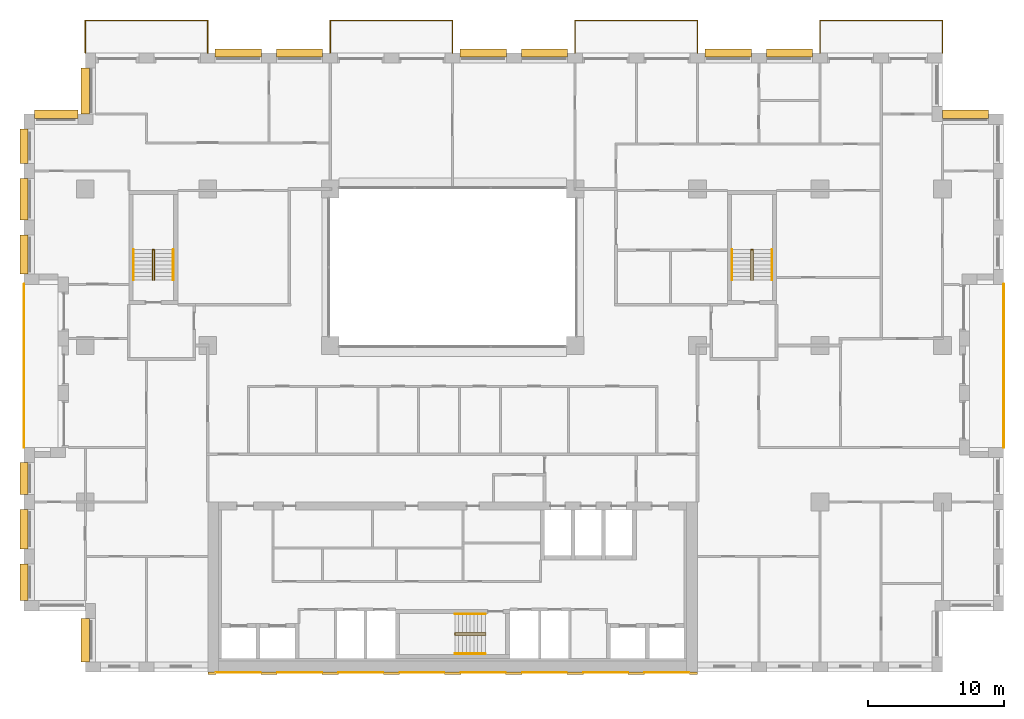
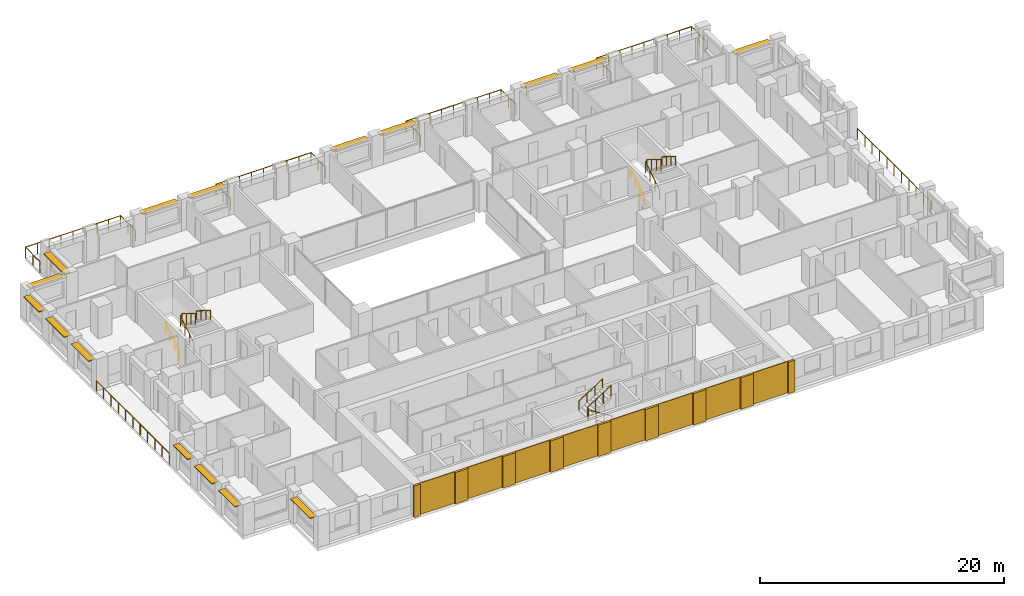
# One storey, part 16 of 16: 17 coverings, 16 shading devices, 15 railings.
"""IFC4 building model written with IfcOpenShell, lengths in metres."""

from ifc_helpers import new_model, si_unit, direction, frame, origin, origin_2d, place, context, subcontext, project, spatial, rectangle, circle, extrude, material, layer, layer_set, type_object, element, save


model = new_model("IFC4")

# Units and contexts
model_context = context("Model", 3, precision=1e-05, world=origin(), true_north=direction((0.0, 1.0)))
body_context = subcontext(model_context, "Body", "Model", "MODEL_VIEW")
ifc_project = project(units=[si_unit("LENGTHUNIT", "METRE"), si_unit("AREAUNIT", "SQUARE_METRE"), si_unit("VOLUMEUNIT", "CUBIC_METRE"), si_unit("PLANEANGLEUNIT", "RADIAN"), si_unit("MASSUNIT", "GRAM", prefix="KILO")], contexts=[model_context])

# Site, building, storey
site_placement = place(None, origin())
site = spatial("IfcSite", under=ifc_project, at=site_placement, CompositionType="ELEMENT")
building_placement = place(site_placement, origin())
building = spatial("IfcBuilding", under=site, at=building_placement, Name="Brigalow Station Residences", CompositionType="ELEMENT")
storey_placement = place(building_placement, frame((0.0, 0.0, 102.449951171875)))
storey = spatial("IfcBuildingStorey", under=building, at=storey_placement, Name="L29", CompositionType="ELEMENT", Elevation=102.449951171875)

# Railings
ifc_material_1 = material(Name="Stainless steel balustrade with laminated glass infill", Category="steel")
railing_type_1 = type_object("IfcRailingType", Name="BALCONY GUARD 1100", PredefinedType="GUARDRAIL", material=ifc_material_1)
railing_1_placement = place(storey_placement, frame((76.5, 16.5, -0.0400390625)))
element("IfcRailing", 1, at=railing_1_placement, inside=storey, type_object=railing_type_1, Name="L29/balcony-guard/1", PredefinedType="GUARDRAIL", context=body_context, shape_type="SweptSolid", body=[
    extrude(circle(Radius=0.02392578125, at=origin_2d()), frame((0.0, 0.0, 1.076171875), z_axis=(0.0, 1.0, 0.0), x_axis=(-1.0, 0.0, 0.0)), (0.0, 0.0, 1.0), 12.0),
    extrude(circle(Radius=0.02099609375, at=origin_2d()), origin(), (0.0, 0.0, 1.0), 1.052001953125),
    extrude(circle(Radius=0.02099609375, at=origin_2d()), frame((0.0, 1.199951171875, 0.0)), (0.0, 0.0, 1.0), 1.052001953125),
    extrude(circle(Radius=0.02099609375, at=origin_2d()), frame((0.0, 2.39990234375, 0.0)), (0.0, 0.0, 1.0), 1.052001953125),
    extrude(circle(Radius=0.02099609375, at=origin_2d()), frame((0.0, 3.60009765625, 0.0)), (0.0, 0.0, 1.0), 1.052001953125),
    extrude(circle(Radius=0.02099609375, at=origin_2d()), frame((0.0, 4.800048828125, 0.0)), (0.0, 0.0, 1.0), 1.052001953125),
    extrude(circle(Radius=0.02099609375, at=origin_2d()), frame((0.0, 6.0, 0.0)), (0.0, 0.0, 1.0), 1.052001953125),
    extrude(circle(Radius=0.02099609375, at=origin_2d()), frame((0.0, 7.199951171875, 0.0)), (0.0, 0.0, 1.0), 1.052001953125),
    extrude(circle(Radius=0.02099609375, at=origin_2d()), frame((0.0, 8.39990234375, 0.0)), (0.0, 0.0, 1.0), 1.052001953125),
    extrude(circle(Radius=0.02099609375, at=origin_2d()), frame((0.0, 9.60009765625, 0.0)), (0.0, 0.0, 1.0), 1.052001953125),
    extrude(circle(Radius=0.02099609375, at=origin_2d()), frame((0.0, 10.800048828125, 0.0)), (0.0, 0.0, 1.0), 1.052001953125),
    extrude(circle(Radius=0.02099609375, at=origin_2d()), frame((0.0, 12.0, 0.0)), (0.0, 0.0, 1.0), 1.052001953125),
])
railing_2_placement = place(storey_placement, frame((72.0, 45.5, -0.0400390625)))
element("IfcRailing", 2, at=railing_2_placement, inside=storey, type_object=railing_type_1, Name="L29/balcony-guard/2", PredefinedType="GUARDRAIL", context=body_context, shape_type="SweptSolid", body=[
    extrude(circle(Radius=0.02392578125, at=origin_2d()), frame((0.0, 0.0, 1.076171875), z_axis=(0.0, 1.0, 0.0), x_axis=(-1.0, 0.0, 0.0)), (0.0, 0.0, 1.0), 2.39990234375),
    extrude(circle(Radius=0.02392578125, at=origin_2d()), frame((0.0, 2.39990234375, 1.076171875), z_axis=(-1.0, 0.0, 0.0), x_axis=(0.0, -1.0, 0.0)), (0.0, 0.0, 1.0), 9.0),
    extrude(circle(Radius=0.02392578125, at=origin_2d()), frame((-9.0, 2.39990234375, 1.076171875), z_axis=(0.0, -1.0, 0.0), x_axis=(1.0, 0.0, 0.0)), (0.0, 0.0, 1.0), 2.39990234375),
    extrude(circle(Radius=0.02099609375, at=origin_2d()), origin(), (0.0, 0.0, 1.0), 1.052001953125),
    extrude(circle(Radius=0.02099609375, at=origin_2d()), frame((0.0, 1.199951171875, 0.0)), (0.0, 0.0, 1.0), 1.052001953125),
    extrude(circle(Radius=0.02099609375, at=origin_2d()), frame((0.0, 2.39990234375, 0.0)), (0.0, 0.0, 1.0), 1.052001953125),
    extrude(circle(Radius=0.02099609375, at=origin_2d()), frame((-1.125, 2.39990234375, 0.0)), (0.0, 0.0, 1.0), 1.052001953125),
    extrude(circle(Radius=0.02099609375, at=origin_2d()), frame((-2.25, 2.39990234375, 0.0)), (0.0, 0.0, 1.0), 1.052001953125),
    extrude(circle(Radius=0.02099609375, at=origin_2d()), frame((-3.375, 2.39990234375, 0.0)), (0.0, 0.0, 1.0), 1.052001953125),
    extrude(circle(Radius=0.02099609375, at=origin_2d()), frame((-4.5, 2.39990234375, 0.0)), (0.0, 0.0, 1.0), 1.052001953125),
    extrude(circle(Radius=0.02099609375, at=origin_2d()), frame((-5.625, 2.39990234375, 0.0)), (0.0, 0.0, 1.0), 1.052001953125),
    extrude(circle(Radius=0.02099609375, at=origin_2d()), frame((-6.75, 2.39990234375, 0.0)), (0.0, 0.0, 1.0), 1.052001953125),
    extrude(circle(Radius=0.02099609375, at=origin_2d()), frame((-7.875, 2.39990234375, 0.0)), (0.0, 0.0, 1.0), 1.052001953125),
    extrude(circle(Radius=0.02099609375, at=origin_2d()), frame((-9.0, 2.39990234375, 0.0)), (0.0, 0.0, 1.0), 1.052001953125),
    extrude(circle(Radius=0.02099609375, at=origin_2d()), frame((-9.0, 1.199951171875, 0.0)), (0.0, 0.0, 1.0), 1.052001953125),
    extrude(circle(Radius=0.02099609375, at=origin_2d()), frame((-9.0, 0.0, 0.0)), (0.0, 0.0, 1.0), 1.052001953125),
])
railing_3_placement = place(storey_placement, frame((54.0, 45.5, -0.0400390625)))
element("IfcRailing", 3, at=railing_3_placement, inside=storey, type_object=railing_type_1, Name="L29/balcony-guard/3", PredefinedType="GUARDRAIL", context=body_context, shape_type="SweptSolid", body=[
    extrude(circle(Radius=0.02392578125, at=origin_2d()), frame((0.0, 0.0, 1.076171875), z_axis=(0.0, 1.0, 0.0), x_axis=(-1.0, 0.0, 0.0)), (0.0, 0.0, 1.0), 2.39990234375),
    extrude(circle(Radius=0.02392578125, at=origin_2d()), frame((0.0, 2.39990234375, 1.076171875), z_axis=(-1.0, 0.0, 0.0), x_axis=(0.0, -1.0, 0.0)), (0.0, 0.0, 1.0), 9.0),
    extrude(circle(Radius=0.02392578125, at=origin_2d()), frame((-9.0, 2.39990234375, 1.076171875), z_axis=(0.0, -1.0, 0.0), x_axis=(1.0, 0.0, 0.0)), (0.0, 0.0, 1.0), 2.39990234375),
    extrude(circle(Radius=0.02099609375, at=origin_2d()), origin(), (0.0, 0.0, 1.0), 1.052001953125),
    extrude(circle(Radius=0.02099609375, at=origin_2d()), frame((0.0, 1.199951171875, 0.0)), (0.0, 0.0, 1.0), 1.052001953125),
    extrude(circle(Radius=0.02099609375, at=origin_2d()), frame((0.0, 2.39990234375, 0.0)), (0.0, 0.0, 1.0), 1.052001953125),
    extrude(circle(Radius=0.02099609375, at=origin_2d()), frame((-1.125, 2.39990234375, 0.0)), (0.0, 0.0, 1.0), 1.052001953125),
    extrude(circle(Radius=0.02099609375, at=origin_2d()), frame((-2.25, 2.39990234375, 0.0)), (0.0, 0.0, 1.0), 1.052001953125),
    extrude(circle(Radius=0.02099609375, at=origin_2d()), frame((-3.375, 2.39990234375, 0.0)), (0.0, 0.0, 1.0), 1.052001953125),
    extrude(circle(Radius=0.02099609375, at=origin_2d()), frame((-4.5, 2.39990234375, 0.0)), (0.0, 0.0, 1.0), 1.052001953125),
    extrude(circle(Radius=0.02099609375, at=origin_2d()), frame((-5.625, 2.39990234375, 0.0)), (0.0, 0.0, 1.0), 1.052001953125),
    extrude(circle(Radius=0.02099609375, at=origin_2d()), frame((-6.75, 2.39990234375, 0.0)), (0.0, 0.0, 1.0), 1.052001953125),
    extrude(circle(Radius=0.02099609375, at=origin_2d()), frame((-7.875, 2.39990234375, 0.0)), (0.0, 0.0, 1.0), 1.052001953125),
    extrude(circle(Radius=0.02099609375, at=origin_2d()), frame((-9.0, 2.39990234375, 0.0)), (0.0, 0.0, 1.0), 1.052001953125),
    extrude(circle(Radius=0.02099609375, at=origin_2d()), frame((-9.0, 1.199951171875, 0.0)), (0.0, 0.0, 1.0), 1.052001953125),
    extrude(circle(Radius=0.02099609375, at=origin_2d()), frame((-9.0, 0.0, 0.0)), (0.0, 0.0, 1.0), 1.052001953125),
])
railing_4_placement = place(storey_placement, frame((36.0, 45.5, -0.0400390625)))
element("IfcRailing", 4, at=railing_4_placement, inside=storey, type_object=railing_type_1, Name="L29/balcony-guard/4", PredefinedType="GUARDRAIL", context=body_context, shape_type="SweptSolid", body=[
    extrude(circle(Radius=0.02392578125, at=origin_2d()), frame((0.0, 0.0, 1.076171875), z_axis=(0.0, 1.0, 0.0), x_axis=(-1.0, 0.0, 0.0)), (0.0, 0.0, 1.0), 2.39990234375),
    extrude(circle(Radius=0.02392578125, at=origin_2d()), frame((0.0, 2.39990234375, 1.076171875), z_axis=(-1.0, 0.0, 0.0), x_axis=(0.0, -1.0, 0.0)), (0.0, 0.0, 1.0), 9.0),
    extrude(circle(Radius=0.02392578125, at=origin_2d()), frame((-9.0, 2.39990234375, 1.076171875), z_axis=(0.0, -1.0, 0.0), x_axis=(1.0, 0.0, 0.0)), (0.0, 0.0, 1.0), 2.39990234375),
    extrude(circle(Radius=0.02099609375, at=origin_2d()), origin(), (0.0, 0.0, 1.0), 1.052001953125),
    extrude(circle(Radius=0.02099609375, at=origin_2d()), frame((0.0, 1.199951171875, 0.0)), (0.0, 0.0, 1.0), 1.052001953125),
    extrude(circle(Radius=0.02099609375, at=origin_2d()), frame((0.0, 2.39990234375, 0.0)), (0.0, 0.0, 1.0), 1.052001953125),
    extrude(circle(Radius=0.02099609375, at=origin_2d()), frame((-1.125, 2.39990234375, 0.0)), (0.0, 0.0, 1.0), 1.052001953125),
    extrude(circle(Radius=0.02099609375, at=origin_2d()), frame((-2.25, 2.39990234375, 0.0)), (0.0, 0.0, 1.0), 1.052001953125),
    extrude(circle(Radius=0.02099609375, at=origin_2d()), frame((-3.375, 2.39990234375, 0.0)), (0.0, 0.0, 1.0), 1.052001953125),
    extrude(circle(Radius=0.02099609375, at=origin_2d()), frame((-4.5, 2.39990234375, 0.0)), (0.0, 0.0, 1.0), 1.052001953125),
    extrude(circle(Radius=0.02099609375, at=origin_2d()), frame((-5.625, 2.39990234375, 0.0)), (0.0, 0.0, 1.0), 1.052001953125),
    extrude(circle(Radius=0.02099609375, at=origin_2d()), frame((-6.75, 2.39990234375, 0.0)), (0.0, 0.0, 1.0), 1.052001953125),
    extrude(circle(Radius=0.02099609375, at=origin_2d()), frame((-7.875, 2.39990234375, 0.0)), (0.0, 0.0, 1.0), 1.052001953125),
    extrude(circle(Radius=0.02099609375, at=origin_2d()), frame((-9.0, 2.39990234375, 0.0)), (0.0, 0.0, 1.0), 1.052001953125),
    extrude(circle(Radius=0.02099609375, at=origin_2d()), frame((-9.0, 1.199951171875, 0.0)), (0.0, 0.0, 1.0), 1.052001953125),
    extrude(circle(Radius=0.02099609375, at=origin_2d()), frame((-9.0, 0.0, 0.0)), (0.0, 0.0, 1.0), 1.052001953125),
])
railing_5_placement = place(storey_placement, frame((18.0, 45.5, -0.0400390625)))
element("IfcRailing", 5, at=railing_5_placement, inside=storey, type_object=railing_type_1, Name="L29/balcony-guard/5", PredefinedType="GUARDRAIL", context=body_context, shape_type="SweptSolid", body=[
    extrude(circle(Radius=0.02392578125, at=origin_2d()), frame((0.0, 0.0, 1.076171875), z_axis=(0.0, 1.0, 0.0), x_axis=(-1.0, 0.0, 0.0)), (0.0, 0.0, 1.0), 2.39990234375),
    extrude(circle(Radius=0.02392578125, at=origin_2d()), frame((0.0, 2.39990234375, 1.076171875), z_axis=(-1.0, 0.0, 0.0), x_axis=(0.0, -1.0, 0.0)), (0.0, 0.0, 1.0), 9.0),
    extrude(circle(Radius=0.02392578125, at=origin_2d()), frame((-9.0, 2.39990234375, 1.076171875), z_axis=(0.0, -1.0, 0.0), x_axis=(1.0, 0.0, 0.0)), (0.0, 0.0, 1.0), 2.39990234375),
    extrude(circle(Radius=0.02099609375, at=origin_2d()), origin(), (0.0, 0.0, 1.0), 1.052001953125),
    extrude(circle(Radius=0.02099609375, at=origin_2d()), frame((0.0, 1.199951171875, 0.0)), (0.0, 0.0, 1.0), 1.052001953125),
    extrude(circle(Radius=0.02099609375, at=origin_2d()), frame((0.0, 2.39990234375, 0.0)), (0.0, 0.0, 1.0), 1.052001953125),
    extrude(circle(Radius=0.02099609375, at=origin_2d()), frame((-1.125, 2.39990234375, 0.0)), (0.0, 0.0, 1.0), 1.052001953125),
    extrude(circle(Radius=0.02099609375, at=origin_2d()), frame((-2.25, 2.39990234375, 0.0)), (0.0, 0.0, 1.0), 1.052001953125),
    extrude(circle(Radius=0.02099609375, at=origin_2d()), frame((-3.375, 2.39990234375, 0.0)), (0.0, 0.0, 1.0), 1.052001953125),
    extrude(circle(Radius=0.02099609375, at=origin_2d()), frame((-4.5, 2.39990234375, 0.0)), (0.0, 0.0, 1.0), 1.052001953125),
    extrude(circle(Radius=0.02099609375, at=origin_2d()), frame((-5.625, 2.39990234375, 0.0)), (0.0, 0.0, 1.0), 1.052001953125),
    extrude(circle(Radius=0.02099609375, at=origin_2d()), frame((-6.75, 2.39990234375, 0.0)), (0.0, 0.0, 1.0), 1.052001953125),
    extrude(circle(Radius=0.02099609375, at=origin_2d()), frame((-7.875, 2.39990234375, 0.0)), (0.0, 0.0, 1.0), 1.052001953125),
    extrude(circle(Radius=0.02099609375, at=origin_2d()), frame((-9.0, 2.39990234375, 0.0)), (0.0, 0.0, 1.0), 1.052001953125),
    extrude(circle(Radius=0.02099609375, at=origin_2d()), frame((-9.0, 1.199951171875, 0.0)), (0.0, 0.0, 1.0), 1.052001953125),
    extrude(circle(Radius=0.02099609375, at=origin_2d()), frame((-9.0, 0.0, 0.0)), (0.0, 0.0, 1.0), 1.052001953125),
])
railing_6_placement = place(storey_placement, frame((4.5, 28.5, -0.0400390625)))
element("IfcRailing", 6, at=railing_6_placement, inside=storey, type_object=railing_type_1, Name="L29/balcony-guard/6", PredefinedType="GUARDRAIL", context=body_context, shape_type="SweptSolid", body=[
    extrude(circle(Radius=0.02392578125, at=origin_2d()), frame((0.0, 0.0, 1.076171875), z_axis=(0.0, -1.0, 0.0), x_axis=(1.0, 0.0, 0.0)), (0.0, 0.0, 1.0), 12.0),
    extrude(circle(Radius=0.02099609375, at=origin_2d()), origin(), (0.0, 0.0, 1.0), 1.052001953125),
    extrude(circle(Radius=0.02099609375, at=origin_2d()), frame((0.0, -1.199951171875, 0.0)), (0.0, 0.0, 1.0), 1.052001953125),
    extrude(circle(Radius=0.02099609375, at=origin_2d()), frame((0.0, -2.39990234375, 0.0)), (0.0, 0.0, 1.0), 1.052001953125),
    extrude(circle(Radius=0.02099609375, at=origin_2d()), frame((0.0, -3.60009765625, 0.0)), (0.0, 0.0, 1.0), 1.052001953125),
    extrude(circle(Radius=0.02099609375, at=origin_2d()), frame((0.0, -4.800048828125, 0.0)), (0.0, 0.0, 1.0), 1.052001953125),
    extrude(circle(Radius=0.02099609375, at=origin_2d()), frame((0.0, -6.0, 0.0)), (0.0, 0.0, 1.0), 1.052001953125),
    extrude(circle(Radius=0.02099609375, at=origin_2d()), frame((0.0, -7.199951171875, 0.0)), (0.0, 0.0, 1.0), 1.052001953125),
    extrude(circle(Radius=0.02099609375, at=origin_2d()), frame((0.0, -8.39990234375, 0.0)), (0.0, 0.0, 1.0), 1.052001953125),
    extrude(circle(Radius=0.02099609375, at=origin_2d()), frame((0.0, -9.60009765625, 0.0)), (0.0, 0.0, 1.0), 1.052001953125),
    extrude(circle(Radius=0.02099609375, at=origin_2d()), frame((0.0, -10.800048828125, 0.0)), (0.0, 0.0, 1.0), 1.052001953125),
    extrude(circle(Radius=0.02099609375, at=origin_2d()), frame((0.0, -12.0, 0.0)), (0.0, 0.0, 1.0), 1.052001953125),
])

# Coverings
ifc_material_2 = material(Name="Clay brick masonry", Category="masonry")
ifc_layer_1 = layer(ifc_material_2, 0.06005859375)
ifc_layer_set_1 = layer_set([ifc_layer_1], Name="BRICK PANEL FACING 60")
covering_type_1 = type_object("IfcCoveringType", Name="BRICK PANEL FACING 60", PredefinedType="CLADDING", material=ifc_layer_set_1)
for number, where, z_axis, x_axis, name in (
    (7, (20.25, -0.030029296875, 0.0), (0.0, 0.0, 1.0), (1.0, 0.0, 0.0), "L29/rear-facing/panel-1"),
    (8, (24.75, -0.030029296875, 0.0), (0.0, 0.0, 1.0), (1.0, 0.0, 0.0), "L29/rear-facing/panel-2"),
    (9, (29.25, -0.030029296875, 0.0), (0.0, 0.0, 1.0), (1.0, 0.0, 0.0), "L29/rear-facing/panel-3"),
    (10, (33.75, -0.030029296875, 0.0), (0.0, 0.0, 1.0), (1.0, 0.0, 0.0), "L29/rear-facing/panel-4"),
    (11, (38.25, -0.030029296875, 0.0), (0.0, 0.0, 1.0), (1.0, 0.0, 0.0), "L29/rear-facing/panel-5"),
    (12, (42.75, -0.030029296875, 0.0), (0.0, 0.0, 1.0), (1.0, 0.0, 0.0), "L29/rear-facing/panel-6"),
    (13, (47.25, -0.030029296875, 0.0), (0.0, 0.0, 1.0), (1.0, 0.0, 0.0), "L29/rear-facing/panel-7"),
    (14, (51.75, -0.030029296875, 0.0), (0.0, 0.0, 1.0), (1.0, 0.0, 0.0), "L29/rear-facing/panel-8"),
):
    element("IfcCovering", number, at=place(storey_placement, frame(where, z_axis=z_axis, x_axis=x_axis)), inside=storey, type_object=covering_type_1, Name=name, PredefinedType="CLADDING", context=body_context, shape_type="SweptSolid", body=[
        extrude(rectangle(XDim=3.300048828125, YDim=0.06005859375, at=origin_2d()), origin(), (0.0, 0.0, 1.0), 3.14990234375),
    ])
ifc_material_3 = material(Name="Clay brick masonry", Category="masonry")
ifc_layer_2 = layer(ifc_material_3, 0.199951171875)
ifc_layer_set_2 = layer_set([ifc_layer_2], Name="BRICK PIER FACING 200")
covering_type_2 = type_object("IfcCoveringType", Name="BRICK PIER FACING 200", PredefinedType="CLADDING", material=ifc_layer_set_2)
covering_1_placement = place(storey_placement, frame((18.300048828125, -0.10009765625, 0.0), z_axis=(0.0, 0.0, 1.0), x_axis=(1.0, 0.0, 0.0)))
element("IfcCovering", 15, at=covering_1_placement, inside=storey, type_object=covering_type_2, Name="L29/rear-facing/pier-1", PredefinedType="CLADDING", context=body_context, shape_type="SweptSolid", body=[
    extrude(rectangle(XDim=0.60009765625, YDim=0.199951171875, at=origin_2d()), origin(), (0.0, 0.0, 1.0), 3.14990234375),
])
for number, where, z_axis, x_axis, name in (
    (16, (22.5, -0.10009765625, 0.0), (0.0, 0.0, 1.0), (1.0, 0.0, 0.0), "L29/rear-facing/pier-2"),
    (17, (27.0, -0.10009765625, 0.0), (0.0, 0.0, 1.0), (1.0, 0.0, 0.0), "L29/rear-facing/pier-3"),
    (18, (31.5, -0.10009765625, 0.0), (0.0, 0.0, 1.0), (1.0, 0.0, 0.0), "L29/rear-facing/pier-4"),
    (19, (36.0, -0.10009765625, 0.0), (0.0, 0.0, 1.0), (1.0, 0.0, 0.0), "L29/rear-facing/pier-5"),
    (20, (40.5, -0.10009765625, 0.0), (0.0, 0.0, 1.0), (1.0, 0.0, 0.0), "L29/rear-facing/pier-6"),
    (21, (45.0, -0.10009765625, 0.0), (0.0, 0.0, 1.0), (1.0, 0.0, 0.0), "L29/rear-facing/pier-7"),
    (22, (49.5, -0.10009765625, 0.0), (0.0, 0.0, 1.0), (1.0, 0.0, 0.0), "L29/rear-facing/pier-8"),
):
    element("IfcCovering", number, at=place(storey_placement, frame(where, z_axis=z_axis, x_axis=x_axis)), inside=storey, type_object=covering_type_2, Name=name, PredefinedType="CLADDING", context=body_context, shape_type="SweptSolid", body=[
        extrude(rectangle(XDim=1.199951171875, YDim=0.199951171875, at=origin_2d()), origin(), (0.0, 0.0, 1.0), 3.14990234375),
    ])
covering_2_placement = place(storey_placement, frame((53.699951171875, -0.10009765625, 0.0), z_axis=(0.0, 0.0, 1.0), x_axis=(1.0, 0.0, 0.0)))
element("IfcCovering", 23, at=covering_2_placement, inside=storey, type_object=covering_type_2, Name="L29/rear-facing/pier-9", PredefinedType="CLADDING", context=body_context, shape_type="SweptSolid", body=[
    extrude(rectangle(XDim=0.60009765625, YDim=0.199951171875, at=origin_2d()), origin(), (0.0, 0.0, 1.0), 3.14990234375),
])

# Railings
ifc_material_4 = material(Name="Stainless steel balustrade", Category="steel")
railing_type_2 = type_object("IfcRailingType", Name="STAIR GUARD 1100", PredefinedType="GUARDRAIL", material=ifc_material_4)
railing_7_placement = place(storey_placement, frame((38.39990234375, 2.72998046875, 0.175048828125)))
element("IfcRailing", 24, at=railing_7_placement, inside=storey, type_object=railing_type_2, Name="GUARD GR-2", PredefinedType="GUARDRAIL", context=body_context, shape_type="SweptSolid", body=[
    extrude(circle(Radius=0.02392578125, at=origin_2d()), frame((0.0, 0.0, 1.076171875), z_axis=(-0.848013881152, 0.0, 0.529974015752), x_axis=(0.0, -1.0, 0.0)), (0.0, 0.0, 1.0), 2.641357421875),
    extrude(circle(Radius=0.02392578125, at=origin_2d()), frame((-2.239990234375, 0.0, 2.47607421875), z_axis=(0.0, 0.624960567888, 0.780656319122), x_axis=(-1.0, 0.0, 0.0)), (0.0, 0.0, 1.0), 0.22412109375),
    extrude(circle(Radius=0.02392578125, at=origin_2d()), frame((-2.239990234375, 0.14013671875, 2.65087890625), z_axis=(0.847972341737, 0.0, 0.530040477369), x_axis=(0.0, 1.0, 0.0)), (0.0, 0.0, 1.0), 2.6416015625),
    extrude(circle(Radius=0.02099609375, at=origin_2d()), origin(), (0.0, 0.0, 1.0), 1.052001953125),
    extrude(circle(Radius=0.02099609375, at=origin_2d()), frame((-0.74658203125, 0.0, 0.466552734375)), (0.0, 0.0, 1.0), 1.052001953125),
    extrude(circle(Radius=0.02099609375, at=origin_2d()), frame((-1.493408203125, 0.0, 0.933349609375)), (0.0, 0.0, 1.0), 1.052001953125),
    extrude(circle(Radius=0.02099609375, at=origin_2d()), frame((-2.239990234375, 0.0, 1.39990234375)), (0.0, 0.0, 1.0), 1.052001953125),
    extrude(circle(Radius=0.02099609375, at=origin_2d()), frame((-2.239990234375, 0.14013671875, 1.574951171875)), (0.0, 0.0, 1.0), 1.052001953125),
    extrude(circle(Radius=0.02099609375, at=origin_2d()), frame((-1.493408203125, 0.14013671875, 2.041748046875)), (0.0, 0.0, 1.0), 1.052001953125),
    extrude(circle(Radius=0.02099609375, at=origin_2d()), frame((-0.74658203125, 0.14013671875, 2.50830078125)), (0.0, 0.0, 1.0), 1.052001953125),
    extrude(circle(Radius=0.02099609375, at=origin_2d()), frame((0.0, 0.14013671875, 2.97509765625)), (0.0, 0.0, 1.0), 1.052001953125),
])
for number, where, name in (
    (25, (13.929931640625, 28.800048828125, 0.175048828125), "GUARD GR-1"),
    (26, (57.929931640625, 28.800048828125, 0.175048828125), "GUARD GR-3"),
):
    element("IfcRailing", number, at=place(storey_placement, frame(where)), inside=storey, type_object=railing_type_2, Name=name, PredefinedType="GUARDRAIL", context=body_context, shape_type="SweptSolid", body=[
        extrude(circle(Radius=0.02392578125, at=origin_2d()), frame((0.0, 0.0, 1.076171875), z_axis=(0.0, 0.848013881152, 0.529974015752), x_axis=(-1.0, 0.0, 0.0)), (0.0, 0.0, 1.0), 2.641357421875),
        extrude(circle(Radius=0.02392578125, at=origin_2d()), frame((0.0, 2.239990234375, 2.47607421875), z_axis=(0.624960567888, 0.0, 0.780656319122), x_axis=(0.0, 1.0, 0.0)), (0.0, 0.0, 1.0), 0.22412109375),
        extrude(circle(Radius=0.02392578125, at=origin_2d()), frame((0.14013671875, 2.239990234375, 2.65087890625), z_axis=(0.0, -0.847972341737, 0.530040477369), x_axis=(1.0, 0.0, 0.0)), (0.0, 0.0, 1.0), 2.6416015625),
        extrude(circle(Radius=0.02099609375, at=origin_2d()), origin(), (0.0, 0.0, 1.0), 1.052001953125),
        extrude(circle(Radius=0.02099609375, at=origin_2d()), frame((0.0, 0.74658203125, 0.466552734375)), (0.0, 0.0, 1.0), 1.052001953125),
        extrude(circle(Radius=0.02099609375, at=origin_2d()), frame((0.0, 1.493408203125, 0.933349609375)), (0.0, 0.0, 1.0), 1.052001953125),
        extrude(circle(Radius=0.02099609375, at=origin_2d()), frame((0.0, 2.239990234375, 1.39990234375)), (0.0, 0.0, 1.0), 1.052001953125),
        extrude(circle(Radius=0.02099609375, at=origin_2d()), frame((0.14013671875, 2.239990234375, 1.574951171875)), (0.0, 0.0, 1.0), 1.052001953125),
        extrude(circle(Radius=0.02099609375, at=origin_2d()), frame((0.14013671875, 1.493408203125, 2.041748046875)), (0.0, 0.0, 1.0), 1.052001953125),
        extrude(circle(Radius=0.02099609375, at=origin_2d()), frame((0.14013671875, 0.74658203125, 2.50830078125)), (0.0, 0.0, 1.0), 1.052001953125),
        extrude(circle(Radius=0.02099609375, at=origin_2d()), frame((0.14013671875, 0.0, 2.97509765625)), (0.0, 0.0, 1.0), 1.052001953125),
    ])
ifc_material_5 = material(Name="Stainless steel handrail", Category="steel")
railing_type_3 = type_object("IfcRailingType", Name="STAIR HANDRAIL 900", PredefinedType="HANDRAIL", material=ifc_material_5)
railing_8_placement = place(storey_placement, frame((38.39990234375, 1.340087890625, 0.175048828125)))
element("IfcRailing", 27, at=railing_8_placement, inside=storey, type_object=railing_type_3, Name="HANDRAIL HR-21", PredefinedType="HANDRAIL", context=body_context, shape_type="SweptSolid", body=[
    extrude(circle(Radius=0.02392578125, at=origin_2d()), frame((0.0, 0.0, 0.8759765625), z_axis=(-0.848013881152, 0.0, 0.529974015752), x_axis=(0.0, -1.0, 0.0)), (0.0, 0.0, 1.0), 2.641357421875),
    extrude(circle(Radius=0.02099609375, at=origin_2d()), origin(), (0.0, 0.0, 1.0), 0.851806640625),
    extrude(circle(Radius=0.02099609375, at=origin_2d()), frame((-0.74658203125, 0.0, 0.466552734375)), (0.0, 0.0, 1.0), 0.851806640625),
    extrude(circle(Radius=0.02099609375, at=origin_2d()), frame((-1.493408203125, 0.0, 0.933349609375)), (0.0, 0.0, 1.0), 0.851806640625),
    extrude(circle(Radius=0.02099609375, at=origin_2d()), frame((-2.239990234375, 0.0, 1.39990234375)), (0.0, 0.0, 1.0), 0.851806640625),
])
railing_9_placement = place(storey_placement, frame((36.159912109375, 4.260009765625, 1.75)))
element("IfcRailing", 28, at=railing_9_placement, inside=storey, type_object=railing_type_3, Name="HANDRAIL HR-22", PredefinedType="HANDRAIL", context=body_context, shape_type="SweptSolid", body=[
    extrude(circle(Radius=0.02392578125, at=origin_2d()), frame((0.0, 0.0, 0.8759765625), z_axis=(0.847972341737, 0.0, 0.530040477369), x_axis=(0.0, 1.0, 0.0)), (0.0, 0.0, 1.0), 2.6416015625),
    extrude(circle(Radius=0.02099609375, at=origin_2d()), origin(), (0.0, 0.0, 1.0), 0.851806640625),
    extrude(circle(Radius=0.02099609375, at=origin_2d()), frame((0.74658203125, 0.0, 0.466796875)), (0.0, 0.0, 1.0), 0.851806640625),
    extrude(circle(Radius=0.02099609375, at=origin_2d()), frame((1.493408203125, 0.0, 0.933349609375)), (0.0, 0.0, 1.0), 0.851806640625),
    extrude(circle(Radius=0.02099609375, at=origin_2d()), frame((2.239990234375, 0.0, 1.400146484375)), (0.0, 0.0, 1.0), 0.851806640625),
])
railing_10_placement = place(storey_placement, frame((12.5400390625, 28.800048828125, 0.175048828125)))
element("IfcRailing", 29, at=railing_10_placement, inside=storey, type_object=railing_type_3, Name="HANDRAIL HR-11", PredefinedType="HANDRAIL", context=body_context, shape_type="SweptSolid", body=[
    extrude(circle(Radius=0.02392578125, at=origin_2d()), frame((0.0, 0.0, 0.8759765625), z_axis=(0.0, 0.848013881152, 0.529974015752), x_axis=(-1.0, 0.0, 0.0)), (0.0, 0.0, 1.0), 2.641357421875),
    extrude(circle(Radius=0.02099609375, at=origin_2d()), origin(), (0.0, 0.0, 1.0), 0.851806640625),
    extrude(circle(Radius=0.02099609375, at=origin_2d()), frame((0.0, 0.74658203125, 0.466552734375)), (0.0, 0.0, 1.0), 0.851806640625),
    extrude(circle(Radius=0.02099609375, at=origin_2d()), frame((0.0, 1.493408203125, 0.933349609375)), (0.0, 0.0, 1.0), 0.851806640625),
    extrude(circle(Radius=0.02099609375, at=origin_2d()), frame((0.0, 2.239990234375, 1.39990234375)), (0.0, 0.0, 1.0), 0.851806640625),
])
railing_11_placement = place(storey_placement, frame((15.4599609375, 31.0400390625, 1.75)))
element("IfcRailing", 30, at=railing_11_placement, inside=storey, type_object=railing_type_3, Name="HANDRAIL HR-12", PredefinedType="HANDRAIL", context=body_context, shape_type="SweptSolid", body=[
    extrude(circle(Radius=0.02392578125, at=origin_2d()), frame((0.0, 0.0, 0.8759765625), z_axis=(0.0, -0.847972341737, 0.530040477369), x_axis=(1.0, 0.0, 0.0)), (0.0, 0.0, 1.0), 2.6416015625),
    extrude(circle(Radius=0.02099609375, at=origin_2d()), origin(), (0.0, 0.0, 1.0), 0.851806640625),
    extrude(circle(Radius=0.02099609375, at=origin_2d()), frame((0.0, -0.74658203125, 0.466796875)), (0.0, 0.0, 1.0), 0.851806640625),
    extrude(circle(Radius=0.02099609375, at=origin_2d()), frame((0.0, -1.493408203125, 0.933349609375)), (0.0, 0.0, 1.0), 0.851806640625),
    extrude(circle(Radius=0.02099609375, at=origin_2d()), frame((0.0, -2.239990234375, 1.400146484375)), (0.0, 0.0, 1.0), 0.851806640625),
])
railing_12_placement = place(storey_placement, frame((56.5400390625, 28.800048828125, 0.175048828125)))
element("IfcRailing", 31, at=railing_12_placement, inside=storey, type_object=railing_type_3, Name="HANDRAIL HR-31", PredefinedType="HANDRAIL", context=body_context, shape_type="SweptSolid", body=[
    extrude(circle(Radius=0.02392578125, at=origin_2d()), frame((0.0, 0.0, 0.8759765625), z_axis=(0.0, 0.848013881152, 0.529974015752), x_axis=(-1.0, 0.0, 0.0)), (0.0, 0.0, 1.0), 2.641357421875),
    extrude(circle(Radius=0.02099609375, at=origin_2d()), origin(), (0.0, 0.0, 1.0), 0.851806640625),
    extrude(circle(Radius=0.02099609375, at=origin_2d()), frame((0.0, 0.74658203125, 0.466552734375)), (0.0, 0.0, 1.0), 0.851806640625),
    extrude(circle(Radius=0.02099609375, at=origin_2d()), frame((0.0, 1.493408203125, 0.933349609375)), (0.0, 0.0, 1.0), 0.851806640625),
    extrude(circle(Radius=0.02099609375, at=origin_2d()), frame((0.0, 2.239990234375, 1.39990234375)), (0.0, 0.0, 1.0), 0.851806640625),
])
railing_13_placement = place(storey_placement, frame((59.4599609375, 31.0400390625, 1.75)))
element("IfcRailing", 32, at=railing_13_placement, inside=storey, type_object=railing_type_3, Name="HANDRAIL HR-32", PredefinedType="HANDRAIL", context=body_context, shape_type="SweptSolid", body=[
    extrude(circle(Radius=0.02392578125, at=origin_2d()), frame((0.0, 0.0, 0.8759765625), z_axis=(0.0, -0.847972341737, 0.530040477369), x_axis=(1.0, 0.0, 0.0)), (0.0, 0.0, 1.0), 2.6416015625),
    extrude(circle(Radius=0.02099609375, at=origin_2d()), origin(), (0.0, 0.0, 1.0), 0.851806640625),
    extrude(circle(Radius=0.02099609375, at=origin_2d()), frame((0.0, -0.74658203125, 0.466796875)), (0.0, 0.0, 1.0), 0.851806640625),
    extrude(circle(Radius=0.02099609375, at=origin_2d()), frame((0.0, -1.493408203125, 0.933349609375)), (0.0, 0.0, 1.0), 0.851806640625),
    extrude(circle(Radius=0.02099609375, at=origin_2d()), frame((0.0, -2.239990234375, 1.400146484375)), (0.0, 0.0, 1.0), 0.851806640625),
])

# Shading devices
ifc_material_6 = material(Name="Powder-coated extruded aluminium blade", Category="aluminium")
ifc_layer_3 = layer(ifc_material_6, 0.080078125)
ifc_layer_set_3 = layer_set([ifc_layer_3], Name="SUNSHADE BLADE 600x80")
shading_device_type = type_object("IfcShadingDeviceType", Name="SUNSHADE BLADE 600x80", PredefinedType="JALOUSIE", material=ifc_layer_set_3)
for number, where, z_axis, x_axis, name in (
    (33, (73.699951171875, 41.0, 2.550048828125), (0.0, 0.0, 1.0), (-1.0, 0.0, 0.0), "L29/blade/W-L29-21"),
    (34, (60.75, 45.5, 2.550048828125), (0.0, 0.0, 1.0), (-1.0, 0.0, 0.0), "L29/blade/W-L29-25"),
    (35, (56.25, 45.5, 2.550048828125), (0.0, 0.0, 1.0), (-1.0, 0.0, 0.0), "L29/blade/W-L29-26"),
    (36, (42.75, 45.5, 2.550048828125), (0.0, 0.0, 1.0), (-1.0, 0.0, 0.0), "L29/blade/W-L29-29"),
    (37, (38.25, 45.5, 2.550048828125), (0.0, 0.0, 1.0), (-1.0, 0.0, 0.0), "L29/blade/W-L29-30"),
    (38, (24.75, 45.5, 2.550048828125), (0.0, 0.0, 1.0), (-1.0, 0.0, 0.0), "L29/blade/W-L29-33"),
    (39, (20.25, 45.5, 2.550048828125), (0.0, 0.0, 1.0), (-1.0, 0.0, 0.0), "L29/blade/W-L29-34"),
    (40, (9.0, 42.699951171875, 2.550048828125), (0.0, 0.0, 1.0), (0.0, -1.0, 0.0), "L29/blade/W-L29-37"),
):
    element("IfcShadingDevice", number, at=place(storey_placement, frame(where, z_axis=z_axis, x_axis=x_axis)), inside=storey, type_object=shading_device_type, Name=name, PredefinedType="JALOUSIE", context=body_context, shape_type="SweptSolid", body=[
        extrude(rectangle(XDim=3.39990234375, YDim=0.60009765625, at=origin_2d()), origin(), (0.0, 0.0, 1.0), 0.080078125),
    ])
shading_device_1_placement = place(storey_placement, frame((6.85009765625, 41.0, 2.550048828125), z_axis=(0.0, 0.0, 1.0), x_axis=(-1.0, 0.0, 0.0)))
element("IfcShadingDevice", 41, at=shading_device_1_placement, inside=storey, type_object=shading_device_type, Name="L29/blade/W-L29-38", PredefinedType="JALOUSIE", context=body_context, shape_type="SweptSolid", body=[
    extrude(rectangle(XDim=3.199951171875, YDim=0.60009765625, at=origin_2d()), origin(), (0.0, 0.0, 1.0), 0.080078125),
])
shading_device_2_placement = place(storey_placement, frame((4.5, 38.6416015625, 2.550048828125), z_axis=(0.0, 0.0, 1.0), x_axis=(0.0, -1.0, 0.0)))
element("IfcShadingDevice", 42, at=shading_device_2_placement, inside=storey, type_object=shading_device_type, Name="L29/blade/W-L29-39", PredefinedType="JALOUSIE", context=body_context, shape_type="SweptSolid", body=[
    extrude(rectangle(XDim=2.51708984375, YDim=0.60009765625, at=origin_2d()), origin(), (0.0, 0.0, 1.0), 0.080078125),
])
shading_device_3_placement = place(storey_placement, frame((4.5, 34.75, 2.550048828125), z_axis=(0.0, 0.0, 1.0), x_axis=(0.0, -1.0, 0.0)))
element("IfcShadingDevice", 43, at=shading_device_3_placement, inside=storey, type_object=shading_device_type, Name="L29/blade/W-L29-40", PredefinedType="JALOUSIE", context=body_context, shape_type="SweptSolid", body=[
    extrude(rectangle(XDim=3.06591796875, YDim=0.60009765625, at=origin_2d()), origin(), (0.0, 0.0, 1.0), 0.080078125),
])
shading_device_4_placement = place(storey_placement, frame((4.5, 30.68359375, 2.550048828125), z_axis=(0.0, 0.0, 1.0), x_axis=(0.0, -1.0, 0.0)))
element("IfcShadingDevice", 44, at=shading_device_4_placement, inside=storey, type_object=shading_device_type, Name="L29/blade/W-L29-41", PredefinedType="JALOUSIE", context=body_context, shape_type="SweptSolid", body=[
    extrude(rectangle(XDim=2.866943359375, YDim=0.60009765625, at=origin_2d()), origin(), (0.0, 0.0, 1.0), 0.080078125),
])
shading_device_5_placement = place(storey_placement, frame((4.5, 14.22509765625, 2.550048828125), z_axis=(0.0, 0.0, 1.0), x_axis=(0.0, -1.0, 0.0)))
element("IfcShadingDevice", 45, at=shading_device_5_placement, inside=storey, type_object=shading_device_type, Name="L29/blade/W-L29-47", PredefinedType="JALOUSIE", context=body_context, shape_type="SweptSolid", body=[
    extrude(rectangle(XDim=2.35009765625, YDim=0.60009765625, at=origin_2d()), origin(), (0.0, 0.0, 1.0), 0.080078125),
])
shading_device_6_placement = place(storey_placement, frame((4.5, 10.5, 2.550048828125), z_axis=(0.0, 0.0, 1.0), x_axis=(0.0, -1.0, 0.0)))
element("IfcShadingDevice", 46, at=shading_device_6_placement, inside=storey, type_object=shading_device_type, Name="L29/blade/W-L29-48", PredefinedType="JALOUSIE", context=body_context, shape_type="SweptSolid", body=[
    extrude(rectangle(XDim=2.89990234375, YDim=0.60009765625, at=origin_2d()), origin(), (0.0, 0.0, 1.0), 0.080078125),
])
shading_device_7_placement = place(storey_placement, frame((4.5, 6.60009765625, 2.550048828125), z_axis=(0.0, 0.0, 1.0), x_axis=(0.0, -1.0, 0.0)))
element("IfcShadingDevice", 47, at=shading_device_7_placement, inside=storey, type_object=shading_device_type, Name="L29/blade/W-L29-49", PredefinedType="JALOUSIE", context=body_context, shape_type="SweptSolid", body=[
    extrude(rectangle(XDim=2.699951171875, YDim=0.60009765625, at=origin_2d()), origin(), (0.0, 0.0, 1.0), 0.080078125),
])
shading_device_8_placement = place(storey_placement, frame((9.0, 2.35009765625, 2.550048828125), z_axis=(0.0, 0.0, 1.0), x_axis=(0.0, -1.0, 0.0)))
element("IfcShadingDevice", 48, at=shading_device_8_placement, inside=storey, type_object=shading_device_type, Name="L29/blade/W-L29-51", PredefinedType="JALOUSIE", context=body_context, shape_type="SweptSolid", body=[
    extrude(rectangle(XDim=3.199951171875, YDim=0.60009765625, at=origin_2d()), origin(), (0.0, 0.0, 1.0), 0.080078125),
])

save(model, "model.ifc")
